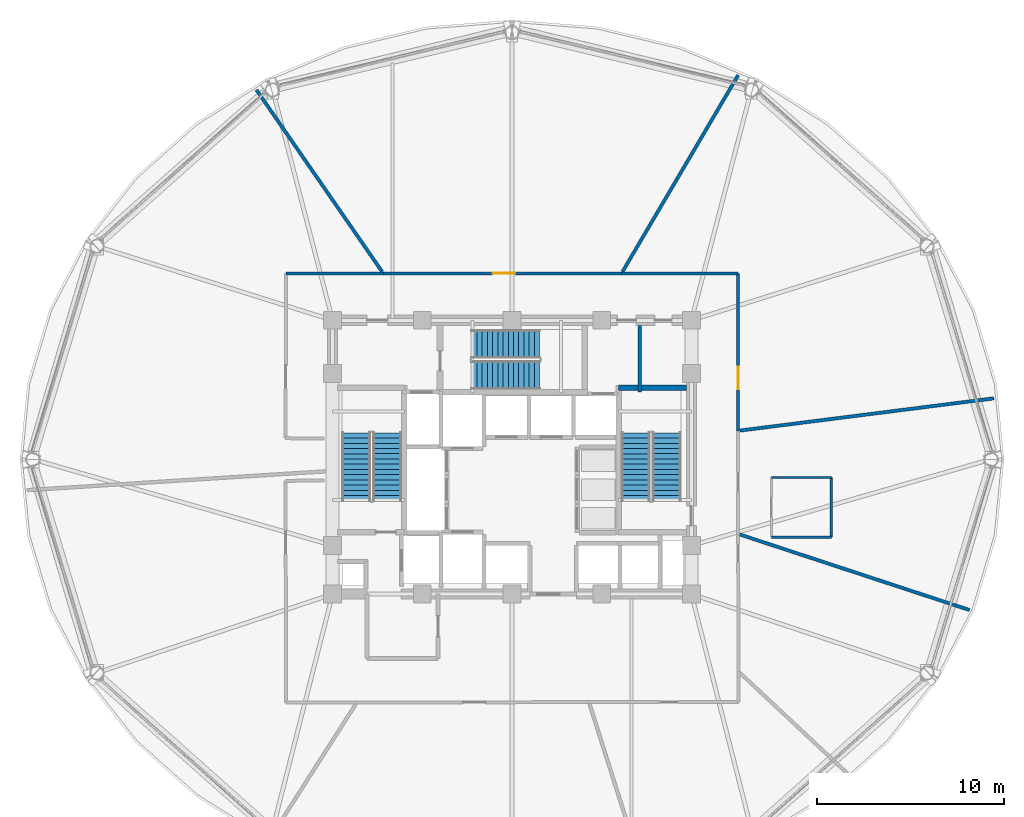
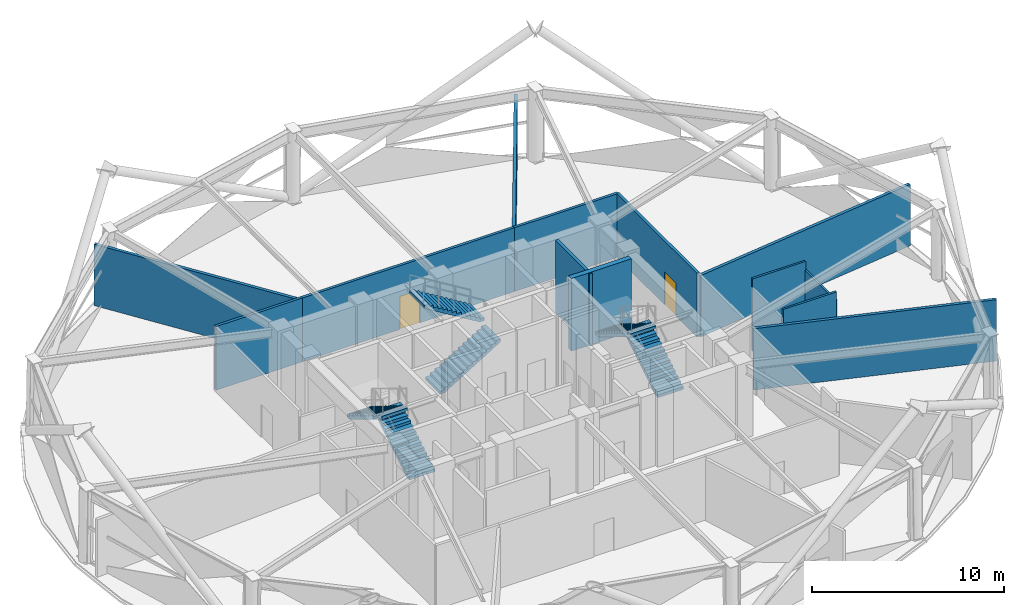
# One storey, part 12 of 17: 13 walls, 6 stair flights, 2 doors, 2 openings, 3 elements without a shape of their own.
"""IFC4 building model written with IfcOpenShell, lengths in metres."""

from ifc_helpers import new_model, si_unit, direction, frame, frame_2d, origin, place, context, subcontext, project, spatial, polyline, rectangle, outline, extrude, material, layer, layer_set, type_object, element, fill, aggregate, save


model = new_model("IFC4")

# Units and contexts
model_context = context("Model", 3, precision=1e-05, world=origin(), true_north=direction((0.0, 1.0)))
body_context = subcontext(model_context, "Body", "Model", "MODEL_VIEW")
ifc_project = project(units=[si_unit("LENGTHUNIT", "METRE"), si_unit("AREAUNIT", "SQUARE_METRE"), si_unit("VOLUMEUNIT", "CUBIC_METRE"), si_unit("PLANEANGLEUNIT", "RADIAN"), si_unit("MASSUNIT", "GRAM", prefix="KILO")], contexts=[model_context])

# Site, building, storey
site_placement = place(None, origin())
site = spatial("IfcSite", under=ifc_project, at=site_placement, CompositionType="ELEMENT")
building_placement = place(site_placement, origin())
building = spatial("IfcBuilding", under=site, at=building_placement, Name="Vantalir Tower", CompositionType="ELEMENT")
storey_placement = place(building_placement, frame((0.0, 0.0, 96.14990234375)))
storey = spatial("IfcBuildingStorey", under=building, at=storey_placement, Name="L23", CompositionType="ELEMENT", Elevation=96.14990234375)

# Walls
ifc_material_1 = material(Name="Moisture-resistant en-suite partition", Category="gypsum")
ifc_layer_1 = layer(ifc_material_1, 0.125)
ifc_layer_set_1 = layer_set([ifc_layer_1], Name="Moisture-resistant en-suite partition")
wall_type_1 = type_object("IfcWallType", Name="WL-BATH-125", PredefinedType="PARTITIONING", material=ifc_layer_set_1)
for number, where, z_axis, x_axis, name in (
    (1, (45.383056640625, 20.843017578125, 0.0), (0.0, 0.0, 1.0), (1.0, 0.0, 0.0), "L23 Accessible WC South Wall"),
    (2, (45.383056640625, 24.04296875, 0.0), (0.0, 0.0, 1.0), (1.0, 0.0, 0.0), "L23 Accessible WC North Wall"),
):
    element("IfcWall", number, at=place(storey_placement, frame(where, z_axis=z_axis, x_axis=x_axis)), inside=storey, type_object=wall_type_1, Name=name, PredefinedType="PARTITIONING", context=body_context, shape_type="SweptSolid", body=[
        extrude(rectangle(XDim=3.199951171875, YDim=0.125, at=frame_2d((1.60009765625, 0.0))), origin(), (0.0, 0.0, 1.0), 4.60009765625),
    ])
wall_1_placement = place(storey_placement, frame((48.5830078125, 20.843017578125, 0.0), z_axis=(0.0, 0.0, 1.0), x_axis=(0.0, 1.0, 0.0)))
element("IfcWall", 3, at=wall_1_placement, inside=storey, type_object=wall_type_1, Name="L23 Accessible WC East Wall", PredefinedType="PARTITIONING", context=body_context, shape_type="SweptSolid", body=[
    extrude(rectangle(XDim=3.199951171875, YDim=0.125, at=frame_2d((1.60009765625, 0.0))), origin(), (0.0, 0.0, 1.0), 4.05615234375),
])
ifc_material_2 = material(Name="Fire-rated hotel corridor acoustic partition", Category="gypsum")
ifc_layer_2 = layer(ifc_material_2, 0.159912109375)
ifc_layer_set_2 = layer_set([ifc_layer_2], Name="Fire-rated hotel corridor acoustic partition")
wall_type_2 = type_object("IfcWallType", Name="WL-CORR-160", PredefinedType="PARTITIONING", material=ifc_layer_set_2)
wall_2_placement = place(storey_placement, frame((19.406005859375, 34.9599609375, 0.0), z_axis=(0.0, 0.0, 1.0), x_axis=(1.0, 0.0, 0.0)))
element("IfcWall", 4, at=wall_2_placement, inside=storey, type_object=wall_type_2, Name="L23 Corridor Partition 03", PredefinedType="PARTITIONING", context=body_context, shape_type="SweptSolid", body=[
    extrude(rectangle(XDim=5.2080078125, YDim=0.159912109375, at=frame_2d((2.60400390625, 0.0))), origin(), (0.0, 0.0, 1.0), 4.05615234375),
])

# Wall, opening, door
wall_3_placement = place(storey_placement, frame((24.614013671875, 34.9599609375, 0.0), z_axis=(0.0, 0.0, 1.0), x_axis=(1.0, 0.0, 0.0)))
wall_3 = element("IfcWall", 5, at=wall_3_placement, inside=storey, type_object=wall_type_2, Name="L23 Corridor Partition 04", PredefinedType="PARTITIONING", context=body_context, shape_type="SweptSolid", body=[
    extrude(rectangle(XDim=12.744873046875, YDim=0.159912109375, at=frame_2d((6.37255859375, 0.0))), origin(), (0.0, 0.0, 1.0), 4.05615234375),
])
opening_1_placement = place(wall_3_placement, frame((5.846923828125, 0.0, 0.0)))
opening_1 = element("IfcOpeningElement", 6, at=opening_1_placement, cuts=wall_3, Name="Opening D-STE", PredefinedType="OPENING", context=body_context, shape_type="SweptSolid", body=[
    extrude(rectangle(XDim=1.199951171875, YDim=2.10009765625, at=frame_2d((0.60009765625, 1.050048828125))), frame((0.0, 0.08984375, 0.0), z_axis=(0.0, -1.0, 0.0), x_axis=(1.0, 0.0, 0.0)), (0.0, 0.0, 1.0), 0.179931640625),
])
ifc_material_3 = material(Name="Solid-core teak veneer suite entrance door", Category="wood")
door_type = type_object("IfcDoorType", Name="DR-SUITE-ENTRY-1200", OperationType="NOTDEFINED", PredefinedType="DOOR", material=ifc_material_3)
door_1_placement = place(opening_1_placement, origin())
door_1 = element("IfcDoor", 7, at=door_1_placement, inside=storey, type_object=door_type, Name="L23 Sky Club Lounge Door", OperationType="SINGLE_SWING_LEFT", OverallHeight=2.10009765625, OverallWidth=1.199951171875, PredefinedType="DOOR", context=body_context, shape_type="SweptSolid", body=[
    extrude(rectangle(XDim=1.199951171875, YDim=2.10009765625, at=frame_2d((0.60009765625, 1.050048828125))), frame((0.0, 0.02490234375, 0.0), z_axis=(0.0, -1.0, 0.0), x_axis=(1.0, 0.0, 0.0)), (0.0, 0.0, 1.0), 0.050048828125),
])
fill(opening_1, door_1)

# Wall
wall_4_placement = place(storey_placement, frame((37.35888671875, 34.9599609375, 0.0), z_axis=(0.0, 0.0, 1.0), x_axis=(1.0, 0.0, 0.0)))
element("IfcWall", 8, at=wall_4_placement, inside=storey, type_object=wall_type_2, Name="L23 Corridor Partition 05", PredefinedType="PARTITIONING", context=body_context, shape_type="SweptSolid", body=[
    extrude(rectangle(XDim=6.235107421875, YDim=0.159912109375, at=frame_2d((3.11767578125, 0.0))), origin(), (0.0, 0.0, 1.0), 4.05615234375),
])

# Wall, opening, door
wall_5_placement = place(storey_placement, frame((43.593994140625, 34.9599609375, 0.0), z_axis=(0.0, 0.0, 1.0), x_axis=(0.000724637491, -0.99999973745, 0.0)))
wall_5 = element("IfcWall", 9, at=wall_5_placement, inside=storey, type_object=wall_type_2, Name="L23 Corridor Partition 06", PredefinedType="PARTITIONING", context=body_context, shape_type="SweptSolid", body=[
    extrude(rectangle(XDim=8.4228515625, YDim=0.159912109375, at=frame_2d((4.21142578125, 0.0))), origin(), (0.0, 0.0, 1.0), 4.05615234375),
])
opening_2_placement = place(wall_5_placement, frame((5.007080078125, 0.0, 0.0)))
opening_2 = element("IfcOpeningElement", 10, at=opening_2_placement, cuts=wall_5, Name="Opening D-STE", PredefinedType="OPENING", context=body_context, shape_type="SweptSolid", body=[
    extrude(rectangle(XDim=1.199951171875, YDim=2.10009765625, at=frame_2d((0.60009765625, 1.050048828125))), frame((0.0, 0.08984375, 0.0), z_axis=(0.0, -1.0, 0.0), x_axis=(1.0, 0.0, 0.0)), (0.0, 0.0, 1.0), 0.179931640625),
])
door_2_placement = place(opening_2_placement, origin())
door_2 = element("IfcDoor", 11, at=door_2_placement, inside=storey, type_object=door_type, Name="L23 Sky Lobby Reception Door", OperationType="SINGLE_SWING_RIGHT", OverallHeight=2.10009765625, OverallWidth=1.199951171875, PredefinedType="DOOR", context=body_context, shape_type="SweptSolid", body=[
    extrude(rectangle(XDim=1.199951171875, YDim=2.10009765625, at=frame_2d((0.60009765625, 1.050048828125))), frame((0.0, 0.02490234375, 0.0), z_axis=(0.0, -1.0, 0.0), x_axis=(1.0, 0.0, 0.0)), (0.0, 0.0, 1.0), 0.050048828125),
])
fill(opening_2, door_2)

# Walls
ifc_material_4 = material(Name="Twin-stud acoustic fire-rated gypsum partition", Category="gypsum")
ifc_layer_3 = layer(ifc_material_4, 0.179931640625)
ifc_layer_set_3 = layer_set([ifc_layer_3], Name="Twin-stud acoustic fire-rated gypsum partition")
wall_type_3 = type_object("IfcWallType", Name="WL-GUEST-180", PredefinedType="PARTITIONING", material=ifc_layer_set_3)
wall_6_placement = place(storey_placement, frame((38.340087890625, 28.6201171875, 0.0), z_axis=(0.0, 0.0, 1.0), x_axis=(0.0, 1.0, 0.0)))
element("IfcWall", 12, at=wall_6_placement, inside=storey, type_object=wall_type_3, Name="L23 High-Rise Lift Lobby East Wall", PredefinedType="PARTITIONING", context=body_context, shape_type="SweptSolid", body=[
    extrude(rectangle(XDim=3.554931640625, YDim=0.179931640625, at=frame_2d((1.77734375, 0.0))), origin(), (0.0, 0.0, 1.0), 4.60009765625),
])
wall_7_placement = place(storey_placement, frame((43.68994140625, 26.548095703125, 0.0), z_axis=(0.0, 0.0, 1.0), x_axis=(0.992031643209, 0.125988963293, 0.0)))
element("IfcWall", 13, at=wall_7_placement, inside=storey, type_object=wall_type_3, Name="L23 Radial Suite Partition 01", PredefinedType="PARTITIONING", context=body_context, shape_type="SweptSolid", body=[
    extrude(rectangle(XDim=13.6982421875, YDim=0.179931640625, at=frame_2d((6.84912109375, 0.0))), origin(), (0.0, 0.0, 1.0), 3.901123046875),
])
wall_8_placement = place(storey_placement, frame((37.406005859375, 35.0400390625, 0.0), z_axis=(0.0, 0.0, 1.0), x_axis=(0.507071666506, 0.86190389547, 0.0)))
element("IfcWall", 14, at=wall_8_placement, inside=storey, type_object=wall_type_3, Name="L23 Radial Suite Partition 02", PredefinedType="PARTITIONING", context=body_context, shape_type="SweptSolid", body=[
    extrude(rectangle(XDim=12.21337890625, YDim=0.179931640625, at=frame_2d((6.106689453125, 0.0))), origin(), (0.0, 0.0, 1.0), 3.901123046875),
])
wall_9_placement = place(storey_placement, frame((24.55908203125, 35.0400390625, 0.0), z_axis=(0.0, 0.0, 1.0), x_axis=(-0.568660962111, 0.82257200911, 0.0)))
element("IfcWall", 15, at=wall_9_placement, inside=storey, type_object=wall_type_3, Name="L23 Radial Suite Partition 03", PredefinedType="PARTITIONING", context=body_context, shape_type="SweptSolid", body=[
    extrude(rectangle(XDim=11.842041015625, YDim=0.179931640625, at=frame_2d((5.9208984375, 0.0))), origin(), (0.0, 0.0, 1.0), 3.901123046875),
])
wall_10_placement = place(storey_placement, frame((43.68994140625, 20.989990234375, 0.0), z_axis=(0.0, 0.0, 1.0), x_axis=(0.94992136786, -0.31248903162, 0.0)))
element("IfcWall", 16, at=wall_10_placement, inside=storey, type_object=wall_type_3, Name="L23 Radial Suite Partition 08", PredefinedType="PARTITIONING", context=body_context, shape_type="SweptSolid", body=[
    extrude(rectangle(XDim=12.93798828125, YDim=0.179931640625, at=frame_2d((6.468994140625, 0.0))), origin(), (0.0, 0.0, 1.0), 3.901123046875),
])
ifc_material_5 = material(Name="Concrete C50/60", Category="concrete")
ifc_layer_4 = layer(ifc_material_5, 0.300048828125)
ifc_layer_set_4 = layer_set([ifc_layer_4], Name="Concrete C50/60")
wall_type_4 = type_object("IfcWallType", Name="WL-STAIR-300", PredefinedType="SHEAR", material=ifc_layer_set_4)
wall_11_placement = place(storey_placement, frame((37.2099609375, 28.85009765625, 0.0), z_axis=(0.0, 0.0, 1.0), x_axis=(1.0, 0.0, 0.0)))
element("IfcWall", 17, at=wall_11_placement, inside=storey, type_object=wall_type_4, Name="L23 Stair ST2 North Wall", PredefinedType="SHEAR", context=body_context, shape_type="SweptSolid", body=[
    extrude(rectangle(XDim=3.614990234375, YDim=0.300048828125, at=frame_2d((1.8076171875, 0.0))), origin(), (0.0, 0.0, 1.0), 4.6201171875),
])

# Stair, stair flights
ifc_material_6 = material(Name="Concrete C40/50", Category="concrete")
stair_type = type_object("IfcStairType", Name="STR-CORE-1450", PredefinedType="HALF_TURN_STAIR", material=ifc_material_6)
stair_1_placement = place(storey_placement, origin())
stair_1 = element("IfcStair", 18, at=stair_1_placement, inside=storey, type_object=stair_type, Name="L23 Core Exit Stair 1", PredefinedType="HALF_TURN_STAIR")
stair_flight_type = type_object("IfcStairFlightType", Name="FLT-CORE-1450", PredefinedType="STRAIGHT", material=ifc_material_6)
stair_flight_1_placement = place(storey_placement, frame((24.830078125, 22.7900390625, 0.0), z_axis=(0.0, 0.0, 1.0), x_axis=(0.0, 1.0, 0.0)))
stair_flight_1 = element("IfcStairFlight", 19, at=stair_flight_1_placement, type_object=stair_flight_type, Name="ST1 flight 1", NumberOfRisers=14, NumberOfTreads=13, PredefinedType="STRAIGHT", RiserHeight=0.171428571, TreadLength=0.28, context=body_context, shape_type="SweptSolid", body=[
    extrude(outline(polyline([(0.0, 0.0), (0.0, 0.17138671875), (0.280029296875, 0.17138671875), (0.280029296875, 0.3427734375), (0.56005859375, 0.3427734375), (0.56005859375, 0.514404296875), (0.840087890625, 0.514404296875), (0.840087890625, 0.685791015625), (1.1201171875, 0.685791015625), (1.1201171875, 0.857177734375), (1.39990234375, 0.857177734375), (1.39990234375, 1.028564453125), (1.679931640625, 1.028564453125), (1.679931640625, 1.199951171875), (1.9599609375, 1.199951171875), (1.9599609375, 1.371337890625), (2.239990234375, 1.371337890625), (2.239990234375, 1.54296875), (2.52001953125, 1.54296875), (2.52001953125, 1.71435546875), (2.800048828125, 1.71435546875), (2.800048828125, 1.8857421875), (3.080078125, 1.8857421875), (3.080078125, 2.05712890625), (3.360107421875, 2.05712890625), (3.360107421875, 2.228515625), (3.639892578125, 2.228515625), (3.639892578125, 2.39990234375), (3.639892578125, 2.052734375), (0.287109375, 0.0), (0.0, 0.0)])), frame((0.0, 0.77001953125, 0.0), z_axis=(0.0, -1.0, 0.0), x_axis=(1.0, 0.0, 0.0)), (0.0, 0.0, 1.0), 1.5400390625),
])
stair_flight_2_placement = place(storey_placement, frame((23.169921875, 26.429931640625, 2.400146484375), z_axis=(0.0, 0.0, 1.0), x_axis=(0.0, -1.0, 0.0)))
stair_flight_2 = element("IfcStairFlight", 20, at=stair_flight_2_placement, type_object=stair_flight_type, Name="ST1 flight 2", NumberOfRisers=14, NumberOfTreads=13, PredefinedType="STRAIGHT", RiserHeight=0.171428571, TreadLength=0.28, context=body_context, shape_type="SweptSolid", body=[
    extrude(outline(polyline([(0.0, 0.0), (0.0, 0.17138671875), (0.280029296875, 0.17138671875), (0.280029296875, 0.3427734375), (0.56005859375, 0.3427734375), (0.56005859375, 0.514404296875), (0.840087890625, 0.514404296875), (0.840087890625, 0.685791015625), (1.1201171875, 0.685791015625), (1.1201171875, 0.857177734375), (1.39990234375, 0.857177734375), (1.39990234375, 1.028564453125), (1.679931640625, 1.028564453125), (1.679931640625, 1.199951171875), (1.9599609375, 1.199951171875), (1.9599609375, 1.371337890625), (2.239990234375, 1.371337890625), (2.239990234375, 1.54296875), (2.52001953125, 1.54296875), (2.52001953125, 1.71435546875), (2.800048828125, 1.71435546875), (2.800048828125, 1.8857421875), (3.080078125, 1.8857421875), (3.080078125, 2.05712890625), (3.360107421875, 2.05712890625), (3.360107421875, 2.228515625), (3.639892578125, 2.228515625), (3.639892578125, 2.39990234375), (3.639892578125, 2.052734375), (0.287109375, 0.0), (0.0, 0.0)])), frame((0.0, 0.77001953125, 0.0), z_axis=(0.0, -1.0, 0.0), x_axis=(1.0, 0.0, 0.0)), (0.0, 0.0, 1.0), 1.5400390625),
])
aggregate(stair_1, [stair_flight_1, stair_flight_2])

stair_2_placement = place(storey_placement, origin())
stair_2 = element("IfcStair", 21, at=stair_2_placement, inside=storey, type_object=stair_type, Name="L23 Core Exit Stair 2", PredefinedType="HALF_TURN_STAIR")
stair_flight_3_placement = place(storey_placement, frame((39.780029296875, 22.7900390625, 0.0), z_axis=(0.0, 0.0, 1.0), x_axis=(0.0, 1.0, 0.0)))
stair_flight_3 = element("IfcStairFlight", 22, at=stair_flight_3_placement, type_object=stair_flight_type, Name="ST2 flight 1", NumberOfRisers=14, NumberOfTreads=13, PredefinedType="STRAIGHT", RiserHeight=0.171428571, TreadLength=0.28, context=body_context, shape_type="SweptSolid", body=[
    extrude(outline(polyline([(0.0, 0.0), (0.0, 0.17138671875), (0.280029296875, 0.17138671875), (0.280029296875, 0.3427734375), (0.56005859375, 0.3427734375), (0.56005859375, 0.514404296875), (0.840087890625, 0.514404296875), (0.840087890625, 0.685791015625), (1.1201171875, 0.685791015625), (1.1201171875, 0.857177734375), (1.39990234375, 0.857177734375), (1.39990234375, 1.028564453125), (1.679931640625, 1.028564453125), (1.679931640625, 1.199951171875), (1.9599609375, 1.199951171875), (1.9599609375, 1.371337890625), (2.239990234375, 1.371337890625), (2.239990234375, 1.54296875), (2.52001953125, 1.54296875), (2.52001953125, 1.71435546875), (2.800048828125, 1.71435546875), (2.800048828125, 1.8857421875), (3.080078125, 1.8857421875), (3.080078125, 2.05712890625), (3.360107421875, 2.05712890625), (3.360107421875, 2.228515625), (3.639892578125, 2.228515625), (3.639892578125, 2.39990234375), (3.639892578125, 2.052734375), (0.287109375, 0.0), (0.0, 0.0)])), frame((0.0, 0.77001953125, 0.0), z_axis=(0.0, -1.0, 0.0), x_axis=(1.0, 0.0, 0.0)), (0.0, 0.0, 1.0), 1.5400390625),
])
stair_flight_4_placement = place(storey_placement, frame((38.1201171875, 26.429931640625, 2.400146484375), z_axis=(0.0, 0.0, 1.0), x_axis=(0.0, -1.0, 0.0)))
stair_flight_4 = element("IfcStairFlight", 23, at=stair_flight_4_placement, type_object=stair_flight_type, Name="ST2 flight 2", NumberOfRisers=14, NumberOfTreads=13, PredefinedType="STRAIGHT", RiserHeight=0.171428571, TreadLength=0.28, context=body_context, shape_type="SweptSolid", body=[
    extrude(outline(polyline([(0.0, 0.0), (0.0, 0.17138671875), (0.280029296875, 0.17138671875), (0.280029296875, 0.3427734375), (0.56005859375, 0.3427734375), (0.56005859375, 0.514404296875), (0.840087890625, 0.514404296875), (0.840087890625, 0.685791015625), (1.1201171875, 0.685791015625), (1.1201171875, 0.857177734375), (1.39990234375, 0.857177734375), (1.39990234375, 1.028564453125), (1.679931640625, 1.028564453125), (1.679931640625, 1.199951171875), (1.9599609375, 1.199951171875), (1.9599609375, 1.371337890625), (2.239990234375, 1.371337890625), (2.239990234375, 1.54296875), (2.52001953125, 1.54296875), (2.52001953125, 1.71435546875), (2.800048828125, 1.71435546875), (2.800048828125, 1.8857421875), (3.080078125, 1.8857421875), (3.080078125, 2.05712890625), (3.360107421875, 2.05712890625), (3.360107421875, 2.228515625), (3.639892578125, 2.228515625), (3.639892578125, 2.39990234375), (3.639892578125, 2.052734375), (0.287109375, 0.0), (0.0, 0.0)])), frame((0.0, 0.77001953125, 0.0), z_axis=(0.0, -1.0, 0.0), x_axis=(1.0, 0.0, 0.0)), (0.0, 0.0, 1.0), 1.5400390625),
])
aggregate(stair_2, [stair_flight_3, stair_flight_4])

stair_3_placement = place(storey_placement, origin())
stair_3 = element("IfcStair", 24, at=stair_3_placement, inside=storey, type_object=stair_type, Name="L23 Core Exit Stair 3", PredefinedType="HALF_TURN_STAIR")
stair_flight_5_placement = place(storey_placement, frame((29.340087890625, 29.52001953125, 0.0), z_axis=(0.0, 0.0, 1.0), x_axis=(1.0, 0.0, 0.0)))
stair_flight_5 = element("IfcStairFlight", 25, at=stair_flight_5_placement, type_object=stair_flight_type, Name="ST3 flight 1", NumberOfRisers=14, NumberOfTreads=13, PredefinedType="STRAIGHT", RiserHeight=0.171428571, TreadLength=0.28, context=body_context, shape_type="SweptSolid", body=[
    extrude(outline(polyline([(0.0, 0.0), (0.0, 0.17138671875), (0.280029296875, 0.17138671875), (0.280029296875, 0.3427734375), (0.56005859375, 0.3427734375), (0.56005859375, 0.514404296875), (0.840087890625, 0.514404296875), (0.840087890625, 0.685791015625), (1.1201171875, 0.685791015625), (1.1201171875, 0.857177734375), (1.39990234375, 0.857177734375), (1.39990234375, 1.028564453125), (1.679931640625, 1.028564453125), (1.679931640625, 1.199951171875), (1.9599609375, 1.199951171875), (1.9599609375, 1.371337890625), (2.239990234375, 1.371337890625), (2.239990234375, 1.54296875), (2.52001953125, 1.54296875), (2.52001953125, 1.71435546875), (2.800048828125, 1.71435546875), (2.800048828125, 1.8857421875), (3.080078125, 1.8857421875), (3.080078125, 2.05712890625), (3.360107421875, 2.05712890625), (3.360107421875, 2.228515625), (3.639892578125, 2.228515625), (3.639892578125, 2.39990234375), (3.639892578125, 2.052734375), (0.287109375, 0.0), (0.0, 0.0)])), frame((0.0, 0.77001953125, 0.0), z_axis=(0.0, -1.0, 0.0), x_axis=(1.0, 0.0, 0.0)), (0.0, 0.0, 1.0), 1.5400390625),
])
stair_flight_6_placement = place(storey_placement, frame((32.97998046875, 31.179931640625, 2.400146484375), z_axis=(0.0, 0.0, 1.0), x_axis=(-1.0, 0.0, 0.0)))
stair_flight_6 = element("IfcStairFlight", 26, at=stair_flight_6_placement, type_object=stair_flight_type, Name="ST3 flight 2", NumberOfRisers=14, NumberOfTreads=13, PredefinedType="STRAIGHT", RiserHeight=0.171428571, TreadLength=0.28, context=body_context, shape_type="SweptSolid", body=[
    extrude(outline(polyline([(0.0, 0.0), (0.0, 0.17138671875), (0.280029296875, 0.17138671875), (0.280029296875, 0.3427734375), (0.56005859375, 0.3427734375), (0.56005859375, 0.514404296875), (0.840087890625, 0.514404296875), (0.840087890625, 0.685791015625), (1.1201171875, 0.685791015625), (1.1201171875, 0.857177734375), (1.39990234375, 0.857177734375), (1.39990234375, 1.028564453125), (1.679931640625, 1.028564453125), (1.679931640625, 1.199951171875), (1.9599609375, 1.199951171875), (1.9599609375, 1.371337890625), (2.239990234375, 1.371337890625), (2.239990234375, 1.54296875), (2.52001953125, 1.54296875), (2.52001953125, 1.71435546875), (2.800048828125, 1.71435546875), (2.800048828125, 1.8857421875), (3.080078125, 1.8857421875), (3.080078125, 2.05712890625), (3.360107421875, 2.05712890625), (3.360107421875, 2.228515625), (3.639892578125, 2.228515625), (3.639892578125, 2.39990234375), (3.639892578125, 2.052734375), (0.287109375, 0.0), (0.0, 0.0)])), frame((0.0, 0.77001953125, 0.0), z_axis=(0.0, -1.0, 0.0), x_axis=(1.0, 0.0, 0.0)), (0.0, 0.0, 1.0), 1.5400390625),
])
aggregate(stair_3, [stair_flight_5, stair_flight_6])

save(model, "model.ifc")
